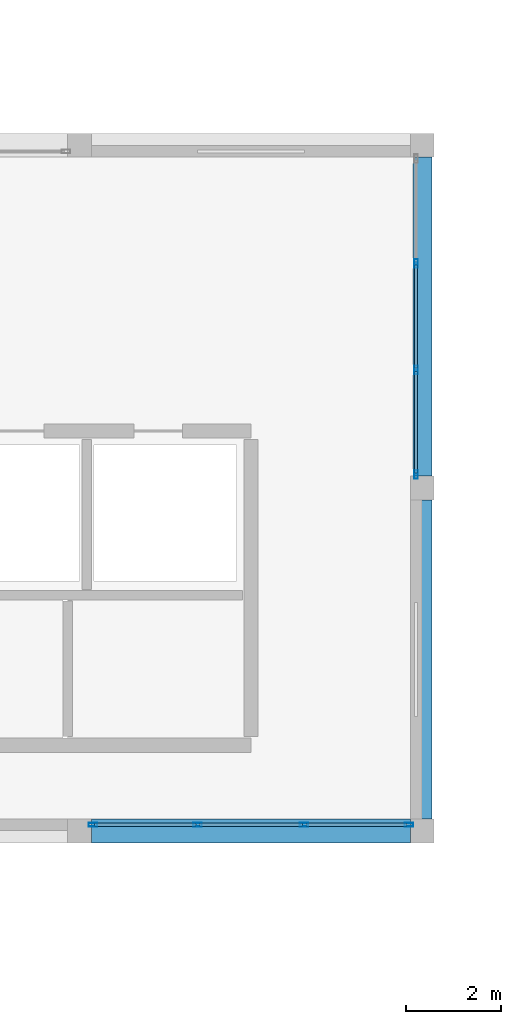
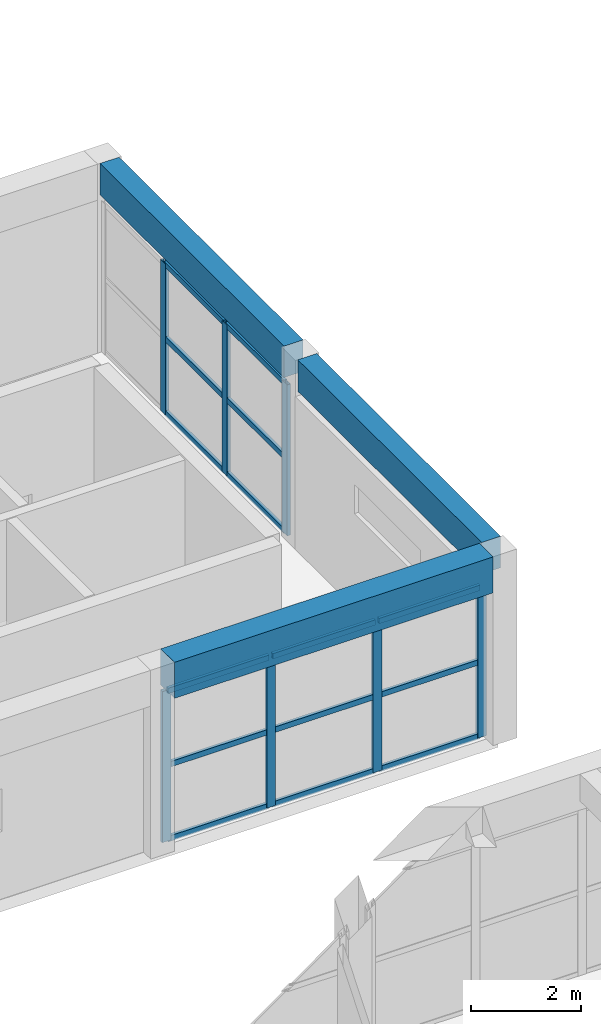
# One storey, part 101 of 153: 22 members, 3 beams, 2 elements without a shape of their own.
"""IFC4 building model written with IfcOpenShell, lengths in metres."""

from ifc_helpers import new_model, si_unit, direction, frame, origin, origin_2d, place, context, subcontext, project, spatial, rectangle, hollow_rectangle, extrude, material, material_profile, profile_set, type_object, element, aggregate, save


model = new_model("IFC4")

# Units and contexts
model_context = context("Model", 3, precision=1e-05, world=origin(), true_north=direction((0.0, 1.0)))
body_context = subcontext(model_context, "Body", "Model", "MODEL_VIEW")
ifc_project = project(units=[si_unit("LENGTHUNIT", "METRE"), si_unit("AREAUNIT", "SQUARE_METRE"), si_unit("VOLUMEUNIT", "CUBIC_METRE"), si_unit("PLANEANGLEUNIT", "RADIAN"), si_unit("MASSUNIT", "GRAM", prefix="KILO")], contexts=[model_context])

# Site, building, storey
site_placement = place(None, origin())
site = spatial("IfcSite", under=ifc_project, at=site_placement, CompositionType="ELEMENT")
building_placement = place(site_placement, origin())
building = spatial("IfcBuilding", under=site, at=building_placement, Name="Bramvelor Terrace Health Centre", CompositionType="ELEMENT")
storey_placement = place(building_placement, frame((0.0, 0.0, 4.800048828125)))
storey = spatial("IfcBuildingStorey", under=building, at=storey_placement, Name="L02", CompositionType="ELEMENT", Elevation=4.800048828125)

# Beams
ifc_material_1 = material(Name="Concrete C40/50", Category="concrete")
ifc_material_profile_1 = material_profile(ifc_material_1, rectangle(XDim=0.39990234375, YDim=0.699951171875, at=origin_2d()), Name="RC 400x700")
ifc_profile_set_1 = profile_set([ifc_material_profile_1], Name="Concrete C40/50")
beam_type_1 = type_object("IfcBeamType", Name="BM-RC-G700", PredefinedType="BEAM", material=ifc_profile_set_1)
beam_1_placement = place(storey_placement, frame((93.60009765625, 86.64990234375, 3.849853515625), z_axis=(0.0, 1.0, 0.0), x_axis=(-1.0, 0.0, 0.0)))
element("IfcBeam", 1, at=beam_1_placement, inside=storey, type_object=beam_type_1, Name="L02 Floor Girder", PredefinedType="BEAM", context=body_context, shape_type="SweptSolid", body=[
    extrude(rectangle(XDim=0.39990234375, YDim=0.699951171875, at=origin_2d()), origin(), (0.0, 0.0, 1.0), 6.7001953125),
])
beam_2_placement = place(storey_placement, frame((93.60009765625, 93.85009765625, 3.849853515625), z_axis=(0.0, 1.0, 0.0), x_axis=(-1.0, 0.0, 0.0)))
element("IfcBeam", 2, at=beam_2_placement, inside=storey, type_object=beam_type_1, Name="L02 Floor Girder", PredefinedType="BEAM", context=body_context, shape_type="SweptSolid", body=[
    extrude(rectangle(XDim=0.39990234375, YDim=0.699951171875, at=origin_2d()), origin(), (0.0, 0.0, 1.0), 6.699951171875),
])
ifc_material_2 = material(Name="Concrete C40/50", Category="concrete")
ifc_material_profile_2 = material_profile(ifc_material_2, rectangle(XDim=0.5, YDim=0.800048828125, at=origin_2d()), Name="RC 500x800")
ifc_profile_set_2 = profile_set([ifc_material_profile_2], Name="Concrete C40/50")
beam_type_2 = type_object("IfcBeamType", Name="BM-RC-G800", PredefinedType="BEAM", material=ifc_profile_set_2)
beam_3_placement = place(storey_placement, frame((86.64990234375, 86.39990234375, 3.800048828125), z_axis=(1.0, 0.0, 0.0), x_axis=(0.0, 1.0, 0.0)))
element("IfcBeam", 3, at=beam_3_placement, inside=storey, type_object=beam_type_2, Name="L02 Floor Girder", PredefinedType="BEAM", context=body_context, shape_type="SweptSolid", body=[
    extrude(rectangle(XDim=0.5, YDim=0.800048828125, at=origin_2d()), origin(), (0.0, 0.0, 1.0), 6.7001953125),
])

# Curtain wall, members
ifc_material_3 = material(Name="Anodized aluminium and double low-E glass", Category="aluminium")
curtain_wall_type = type_object("IfcCurtainWallType", Name="CW-SYS-16", PredefinedType="NOTDEFINED", material=ifc_material_3)
curtain_wall_1_placement = place(storey_placement, origin())
curtain_wall_1 = element("IfcCurtainWall", 4, at=curtain_wall_1_placement, inside=storey, type_object=curtain_wall_type, Name="L02 Unitized Curtain Wall 88", PredefinedType="NOTDEFINED")
ifc_material_4 = material(Name="Anodized aluminium 6063-T6", Category="aluminium")
ifc_material_profile_3 = material_profile(ifc_material_4, hollow_rectangle(XDim=0.074951171875, YDim=0.179931640625, WallThickness=0.00341796875, at=origin_2d()), Name="ALU-MUL 75x180x3.5")
ifc_profile_set_3 = profile_set([ifc_material_profile_3], Name="Anodized aluminium 6063-T6")
member_type_1 = type_object("IfcMemberType", Name="CW-MUL-65x180", PredefinedType="MULLION", material=ifc_profile_set_3)
member_1_placement = place(storey_placement, frame((93.469970703125, 98.318359375, 0.0), z_axis=(0.0, 0.0, 1.0), x_axis=(1.0, 0.0, 0.0)))
member_1 = element("IfcMember", 5, at=member_1_placement, type_object=member_type_1, Name="CW-16 mullion 2", PredefinedType="MULLION", context=body_context, shape_type="SweptSolid", body=[
    extrude(hollow_rectangle(XDim=0.074951171875, YDim=0.179931640625, WallThickness=0.00341796875, at=origin_2d()), origin(), (0.0, 0.0, 1.0), 3.35986328125),
])
member_2_placement = place(storey_placement, frame((93.469970703125, 96.081787109375, 0.0), z_axis=(0.0, 0.0, 1.0), x_axis=(1.0, 0.0, 0.0)))
member_2 = element("IfcMember", 6, at=member_2_placement, type_object=member_type_1, Name="CW-16 mullion 3", PredefinedType="MULLION", context=body_context, shape_type="SweptSolid", body=[
    extrude(hollow_rectangle(XDim=0.074951171875, YDim=0.179931640625, WallThickness=0.00341796875, at=origin_2d()), origin(), (0.0, 0.0, 1.0), 3.35986328125),
])
member_3_placement = place(storey_placement, frame((93.469970703125, 93.882568359375, 0.0), z_axis=(0.0, 0.0, 1.0), x_axis=(1.0, 0.0, 0.0)))
member_3 = element("IfcMember", 7, at=member_3_placement, type_object=member_type_1, Name="CW-16 mullion 4", PredefinedType="MULLION", context=body_context, shape_type="SweptSolid", body=[
    extrude(hollow_rectangle(XDim=0.074951171875, YDim=0.179931640625, WallThickness=0.00341796875, at=origin_2d()), origin(), (0.0, 0.0, 1.0), 3.35986328125),
])

curtain_wall_2_placement = place(storey_placement, origin())
curtain_wall_2 = element("IfcCurtainWall", 8, at=curtain_wall_2_placement, inside=storey, type_object=curtain_wall_type, Name="L02 Unitized Curtain Wall 89", PredefinedType="NOTDEFINED")
member_4_placement = place(storey_placement, frame((93.3173828125, 86.530029296875, 0.0), z_axis=(0.0, 0.0, 1.0), x_axis=(0.0, -1.0, 0.0)))
member_4 = element("IfcMember", 9, at=member_4_placement, type_object=member_type_1, Name="CW-16 mullion 1", PredefinedType="MULLION", context=body_context, shape_type="SweptSolid", body=[
    extrude(hollow_rectangle(XDim=0.074951171875, YDim=0.179931640625, WallThickness=0.00341796875, at=origin_2d()), origin(), (0.0, 0.0, 1.0), 3.35986328125),
])
member_5_placement = place(storey_placement, frame((91.118408203125, 86.530029296875, 0.0), z_axis=(0.0, 0.0, 1.0), x_axis=(0.0, -1.0, 0.0)))
member_5 = element("IfcMember", 10, at=member_5_placement, type_object=member_type_1, Name="CW-16 mullion 2", PredefinedType="MULLION", context=body_context, shape_type="SweptSolid", body=[
    extrude(hollow_rectangle(XDim=0.074951171875, YDim=0.179931640625, WallThickness=0.00341796875, at=origin_2d()), origin(), (0.0, 0.0, 1.0), 3.35986328125),
])
member_6_placement = place(storey_placement, frame((88.881591796875, 86.530029296875, 0.0), z_axis=(0.0, 0.0, 1.0), x_axis=(0.0, -1.0, 0.0)))
member_6 = element("IfcMember", 11, at=member_6_placement, type_object=member_type_1, Name="CW-16 mullion 3", PredefinedType="MULLION", context=body_context, shape_type="SweptSolid", body=[
    extrude(hollow_rectangle(XDim=0.074951171875, YDim=0.179931640625, WallThickness=0.00341796875, at=origin_2d()), origin(), (0.0, 0.0, 1.0), 3.35986328125),
])
member_7_placement = place(storey_placement, frame((86.6826171875, 86.530029296875, 0.0), z_axis=(0.0, 0.0, 1.0), x_axis=(0.0, -1.0, 0.0)))
member_7 = element("IfcMember", 12, at=member_7_placement, type_object=member_type_1, Name="CW-16 mullion 4", PredefinedType="MULLION", context=body_context, shape_type="SweptSolid", body=[
    extrude(hollow_rectangle(XDim=0.074951171875, YDim=0.179931640625, WallThickness=0.00341796875, at=origin_2d()), origin(), (0.0, 0.0, 1.0), 3.35986328125),
])

# Member
ifc_material_5 = material(Name="Anodized aluminium 6063-T6", Category="aluminium")
ifc_material_profile_4 = material_profile(ifc_material_5, hollow_rectangle(XDim=0.06494140625, YDim=0.1201171875, WallThickness=0.0029296875, at=origin_2d()), Name="ALU-TRN 65x120x3.0")
ifc_profile_set_4 = profile_set([ifc_material_profile_4], Name="Anodized aluminium 6063-T6")
member_type_2 = type_object("IfcMemberType", Name="CW-TRN-65x150", PredefinedType="USERDEFINED", material=ifc_profile_set_4)
member_8_placement = place(storey_placement, frame((93.469970703125, 98.28076171875, 0.032470703125), z_axis=(0.0, -1.0, 0.0), x_axis=(1.0, 0.0, 0.0)))
member_8 = element("IfcMember", 13, at=member_8_placement, type_object=member_type_2, Name="CW-16 transom 2.1", ObjectType="TRANSOM", PredefinedType="USERDEFINED", context=body_context, shape_type="SweptSolid", body=[
    extrude(hollow_rectangle(XDim=0.06494140625, YDim=0.1201171875, WallThickness=0.0029296875, at=origin_2d()), origin(), (0.0, 0.0, 1.0), 2.16162109375),
])

member_9_placement = place(storey_placement, frame((93.469970703125, 98.28076171875, 1.679931640625), z_axis=(0.0, -1.0, 0.0), x_axis=(1.0, 0.0, 0.0)))
member_9 = element("IfcMember", 14, at=member_9_placement, type_object=member_type_2, Name="CW-16 transom 2.2", ObjectType="TRANSOM", PredefinedType="USERDEFINED", context=body_context, shape_type="SweptSolid", body=[
    extrude(hollow_rectangle(XDim=0.06494140625, YDim=0.1201171875, WallThickness=0.0029296875, at=origin_2d()), origin(), (0.0, 0.0, 1.0), 2.16162109375),
])

member_10_placement = place(storey_placement, frame((93.469970703125, 98.28076171875, 3.327392578125), z_axis=(0.0, -1.0, 0.0), x_axis=(1.0, 0.0, 0.0)))
member_10 = element("IfcMember", 15, at=member_10_placement, type_object=member_type_2, Name="CW-16 transom 2.3", ObjectType="TRANSOM", PredefinedType="USERDEFINED", context=body_context, shape_type="SweptSolid", body=[
    extrude(hollow_rectangle(XDim=0.06494140625, YDim=0.1201171875, WallThickness=0.0029296875, at=origin_2d()), origin(), (0.0, 0.0, 1.0), 2.16162109375),
])

member_11_placement = place(storey_placement, frame((93.469970703125, 96.044189453125, 0.032470703125), z_axis=(0.0, -1.0, 0.0), x_axis=(1.0, 0.0, 0.0)))
member_11 = element("IfcMember", 16, at=member_11_placement, type_object=member_type_2, Name="CW-16 transom 3.1", ObjectType="TRANSOM", PredefinedType="USERDEFINED", context=body_context, shape_type="SweptSolid", body=[
    extrude(hollow_rectangle(XDim=0.06494140625, YDim=0.1201171875, WallThickness=0.0029296875, at=origin_2d()), origin(), (0.0, 0.0, 1.0), 2.124267578125),
])

member_12_placement = place(storey_placement, frame((93.469970703125, 96.044189453125, 1.679931640625), z_axis=(0.0, -1.0, 0.0), x_axis=(1.0, 0.0, 0.0)))
member_12 = element("IfcMember", 17, at=member_12_placement, type_object=member_type_2, Name="CW-16 transom 3.2", ObjectType="TRANSOM", PredefinedType="USERDEFINED", context=body_context, shape_type="SweptSolid", body=[
    extrude(hollow_rectangle(XDim=0.06494140625, YDim=0.1201171875, WallThickness=0.0029296875, at=origin_2d()), origin(), (0.0, 0.0, 1.0), 2.124267578125),
])

member_13_placement = place(storey_placement, frame((93.469970703125, 96.044189453125, 3.327392578125), z_axis=(0.0, -1.0, 0.0), x_axis=(1.0, 0.0, 0.0)))
member_13 = element("IfcMember", 18, at=member_13_placement, type_object=member_type_2, Name="CW-16 transom 3.3", ObjectType="TRANSOM", PredefinedType="USERDEFINED", context=body_context, shape_type="SweptSolid", body=[
    extrude(hollow_rectangle(XDim=0.06494140625, YDim=0.1201171875, WallThickness=0.0029296875, at=origin_2d()), origin(), (0.0, 0.0, 1.0), 2.124267578125),
])

aggregate(curtain_wall_1, [member_1, member_2, member_3, member_8, member_9, member_10, member_11, member_12, member_13])

member_14_placement = place(storey_placement, frame((93.280029296875, 86.530029296875, 0.032470703125), z_axis=(-1.0, 0.0, 0.0), x_axis=(0.0, -1.0, 0.0)))
member_14 = element("IfcMember", 19, at=member_14_placement, type_object=member_type_2, Name="CW-16 transom 1.1", ObjectType="TRANSOM", PredefinedType="USERDEFINED", context=body_context, shape_type="SweptSolid", body=[
    extrude(hollow_rectangle(XDim=0.06494140625, YDim=0.1201171875, WallThickness=0.0029296875, at=origin_2d()), origin(), (0.0, 0.0, 1.0), 2.124267578125),
])

member_15_placement = place(storey_placement, frame((93.280029296875, 86.530029296875, 1.679931640625), z_axis=(-1.0, 0.0, 0.0), x_axis=(0.0, -1.0, 0.0)))
member_15 = element("IfcMember", 20, at=member_15_placement, type_object=member_type_2, Name="CW-16 transom 1.2", ObjectType="TRANSOM", PredefinedType="USERDEFINED", context=body_context, shape_type="SweptSolid", body=[
    extrude(hollow_rectangle(XDim=0.06494140625, YDim=0.1201171875, WallThickness=0.0029296875, at=origin_2d()), origin(), (0.0, 0.0, 1.0), 2.124267578125),
])

member_16_placement = place(storey_placement, frame((93.280029296875, 86.530029296875, 3.327392578125), z_axis=(-1.0, 0.0, 0.0), x_axis=(0.0, -1.0, 0.0)))
member_16 = element("IfcMember", 21, at=member_16_placement, type_object=member_type_2, Name="CW-16 transom 1.3", ObjectType="TRANSOM", PredefinedType="USERDEFINED", context=body_context, shape_type="SweptSolid", body=[
    extrude(hollow_rectangle(XDim=0.06494140625, YDim=0.1201171875, WallThickness=0.0029296875, at=origin_2d()), origin(), (0.0, 0.0, 1.0), 2.124267578125),
])

member_17_placement = place(storey_placement, frame((91.080810546875, 86.530029296875, 0.032470703125), z_axis=(-1.0, 0.0, 0.0), x_axis=(0.0, -1.0, 0.0)))
member_17 = element("IfcMember", 22, at=member_17_placement, type_object=member_type_2, Name="CW-16 transom 2.1", ObjectType="TRANSOM", PredefinedType="USERDEFINED", context=body_context, shape_type="SweptSolid", body=[
    extrude(hollow_rectangle(XDim=0.06494140625, YDim=0.1201171875, WallThickness=0.0029296875, at=origin_2d()), origin(), (0.0, 0.0, 1.0), 2.16162109375),
])

member_18_placement = place(storey_placement, frame((91.080810546875, 86.530029296875, 1.679931640625), z_axis=(-1.0, 0.0, 0.0), x_axis=(0.0, -1.0, 0.0)))
member_18 = element("IfcMember", 23, at=member_18_placement, type_object=member_type_2, Name="CW-16 transom 2.2", ObjectType="TRANSOM", PredefinedType="USERDEFINED", context=body_context, shape_type="SweptSolid", body=[
    extrude(hollow_rectangle(XDim=0.06494140625, YDim=0.1201171875, WallThickness=0.0029296875, at=origin_2d()), origin(), (0.0, 0.0, 1.0), 2.16162109375),
])

member_19_placement = place(storey_placement, frame((91.080810546875, 86.530029296875, 3.327392578125), z_axis=(-1.0, 0.0, 0.0), x_axis=(0.0, -1.0, 0.0)))
member_19 = element("IfcMember", 24, at=member_19_placement, type_object=member_type_2, Name="CW-16 transom 2.3", ObjectType="TRANSOM", PredefinedType="USERDEFINED", context=body_context, shape_type="SweptSolid", body=[
    extrude(hollow_rectangle(XDim=0.06494140625, YDim=0.1201171875, WallThickness=0.0029296875, at=origin_2d()), origin(), (0.0, 0.0, 1.0), 2.16162109375),
])

member_20_placement = place(storey_placement, frame((88.84423828125, 86.530029296875, 0.032470703125), z_axis=(-1.0, 0.0, 0.0), x_axis=(0.0, -1.0, 0.0)))
member_20 = element("IfcMember", 25, at=member_20_placement, type_object=member_type_2, Name="CW-16 transom 3.1", ObjectType="TRANSOM", PredefinedType="USERDEFINED", context=body_context, shape_type="SweptSolid", body=[
    extrude(hollow_rectangle(XDim=0.06494140625, YDim=0.1201171875, WallThickness=0.0029296875, at=origin_2d()), origin(), (0.0, 0.0, 1.0), 2.124267578125),
])

member_21_placement = place(storey_placement, frame((88.84423828125, 86.530029296875, 1.679931640625), z_axis=(-1.0, 0.0, 0.0), x_axis=(0.0, -1.0, 0.0)))
member_21 = element("IfcMember", 26, at=member_21_placement, type_object=member_type_2, Name="CW-16 transom 3.2", ObjectType="TRANSOM", PredefinedType="USERDEFINED", context=body_context, shape_type="SweptSolid", body=[
    extrude(hollow_rectangle(XDim=0.06494140625, YDim=0.1201171875, WallThickness=0.0029296875, at=origin_2d()), origin(), (0.0, 0.0, 1.0), 2.124267578125),
])

member_22_placement = place(storey_placement, frame((88.84423828125, 86.530029296875, 3.327392578125), z_axis=(-1.0, 0.0, 0.0), x_axis=(0.0, -1.0, 0.0)))
member_22 = element("IfcMember", 27, at=member_22_placement, type_object=member_type_2, Name="CW-16 transom 3.3", ObjectType="TRANSOM", PredefinedType="USERDEFINED", context=body_context, shape_type="SweptSolid", body=[
    extrude(hollow_rectangle(XDim=0.06494140625, YDim=0.1201171875, WallThickness=0.0029296875, at=origin_2d()), origin(), (0.0, 0.0, 1.0), 2.124267578125),
])

aggregate(curtain_wall_2, [member_4, member_5, member_6, member_7, member_14, member_15, member_16, member_17, member_18, member_19, member_20, member_21, member_22])

save(model, "model.ifc")
